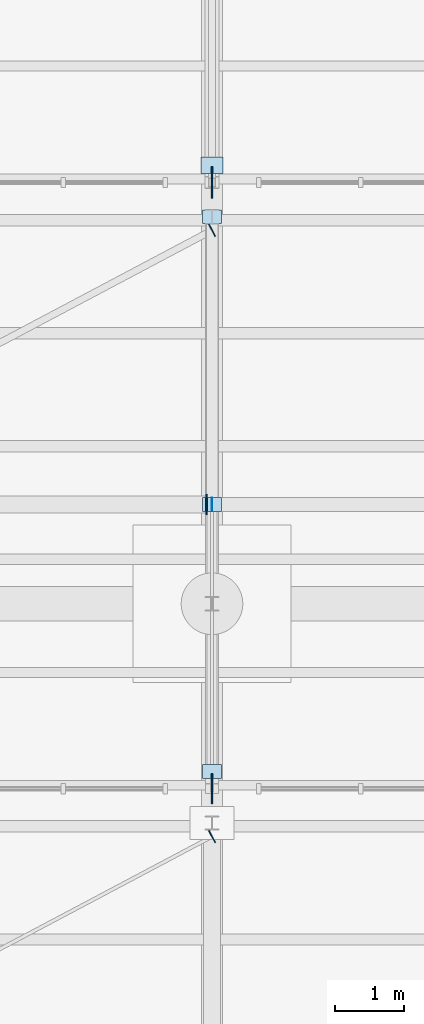
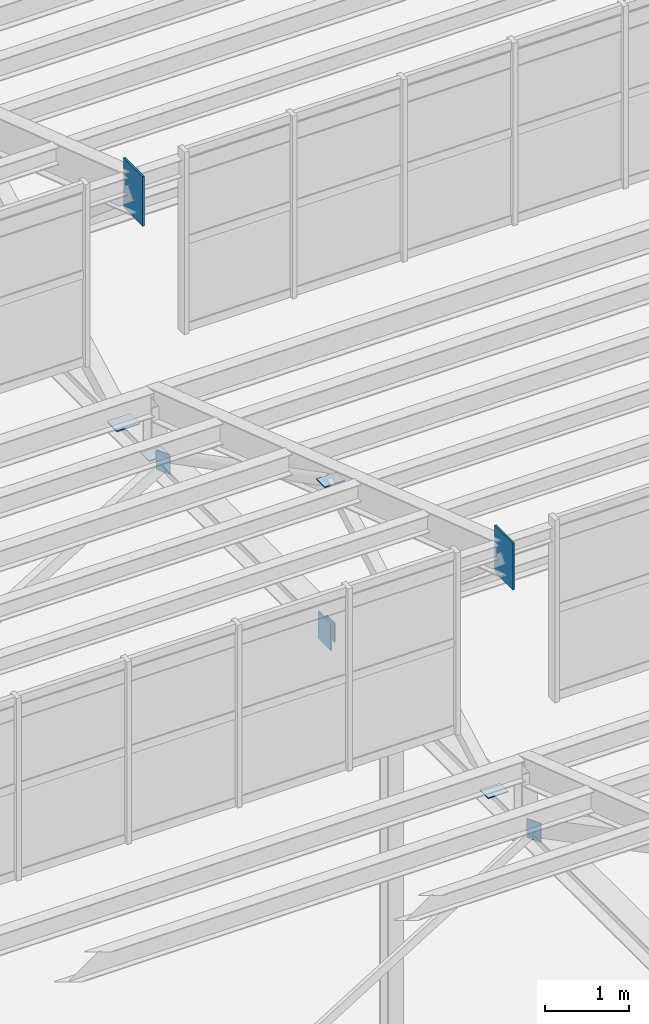
# One storey, part 201 of 285: 10 plates.
"""IFC4 building model written with IfcOpenShell, lengths in metres."""

from ifc_helpers import new_model, si_unit, direction, frame, origin, origin_2d, place, context, subcontext, project, spatial, rectangle, extrude, material, layer, layer_set, type_object, element, save


model = new_model("IFC4")

# Units and contexts
model_context = context("Model", 3, precision=1e-05, world=origin(), true_north=direction((0.0, 1.0)))
body_context = subcontext(model_context, "Body", "Model", "MODEL_VIEW")
ifc_project = project(units=[si_unit("LENGTHUNIT", "METRE"), si_unit("AREAUNIT", "SQUARE_METRE"), si_unit("VOLUMEUNIT", "CUBIC_METRE"), si_unit("PLANEANGLEUNIT", "RADIAN"), si_unit("MASSUNIT", "GRAM", prefix="KILO")], contexts=[model_context])

# Site, building, storey
site_placement = place(None, origin())
site = spatial("IfcSite", under=ifc_project, at=site_placement, CompositionType="ELEMENT")
building_placement = place(site_placement, origin())
building = spatial("IfcBuilding", under=site, at=building_placement, Name="Solanera Park Tramway Depot", CompositionType="ELEMENT")
storey_placement = place(building_placement, origin())
storey = spatial("IfcBuildingStorey", under=building, at=storey_placement, Name="L00", CompositionType="ELEMENT", Elevation=0.0)

# Plates
ifc_material_1 = material(Name="Steel AS/NZS 3679.1 Grade 350", Category="steel")
ifc_layer_1 = layer(ifc_material_1, 0.013916015625)
ifc_layer_set_1 = layer_set([ifc_layer_1], Name="Steel AS/NZS 3679.1 Grade 350")
plate_type_1 = type_object("IfcPlateType", Name="Hollow End Cap and Base Plate 280x200x14", PredefinedType="USERDEFINED", material=ifc_layer_set_1)
for number, where, z_axis, x_axis, name in (
    (1, (60.000732421875, 81.601318359375, 6.35986328125), (0.0, 0.0, 1.0), (0.883520501477, 0.468392488698, 0.0), "Hollow Section Welded End Cap Plate #0346"),
    (2, (60.0, 86.449951171875, 6.35986328125), (0.0, 0.0, 1.0), (1.0, 0.0, 0.0), "Sawtooth Truss Hollow End Cap #0376"),
):
    element("IfcPlate", number, at=place(storey_placement, frame(where, z_axis=z_axis, x_axis=x_axis)), inside=storey, type_object=plate_type_1, Name=name, ObjectType="BASE PLATE", PredefinedType="USERDEFINED", context=body_context, shape_type="SweptSolid", body=[
        extrude(rectangle(XDim=0.013916015625, YDim=0.199951171875, at=origin_2d()), origin(), (0.0, 0.0, 1.0), 0.280029296875),
    ])
for number, where, z_axis, x_axis, name in (
    (3, (60.0, 90.64990234375, 6.4931640625), (0.0, 0.0, 1.0), (1.0, 0.0, 0.0), "Sawtooth Truss Node Cap Plate #0377"),
    (4, (60.0, 86.449951171875, 8.66064453125), (0.0, 0.0, 1.0), (1.0, 0.0, 0.0), "Sawtooth Truss Node Cap Plate #0378"),
    (5, (60.0, 82.550048828125, 6.4931640625), (0.0, 0.0, 1.0), (1.0, 0.0, 0.0), "Sawtooth Truss Node Cap Plate #0379"),
):
    element("IfcPlate", number, at=place(storey_placement, frame(where, z_axis=z_axis, x_axis=x_axis)), inside=storey, type_object=plate_type_1, Name=name, ObjectType="BASE PLATE", PredefinedType="USERDEFINED", context=body_context, shape_type="SweptSolid", body=[
        extrude(rectangle(XDim=0.280029296875, YDim=0.199951171875, at=origin_2d()), origin(), (0.0, 0.0, 1.0), 0.013916015625),
    ])
plate_1_placement = place(storey_placement, frame((60.000732421875, 90.451416015625, 6.35986328125), z_axis=(0.0, 0.0, 1.0), x_axis=(0.883520501477, 0.468392488698, 0.0)))
element("IfcPlate", 6, at=plate_1_placement, inside=storey, type_object=plate_type_1, Name="Hollow Section Welded End Cap Plate #0417", ObjectType="BASE PLATE", PredefinedType="USERDEFINED", context=body_context, shape_type="SweptSolid", body=[
    extrude(rectangle(XDim=0.013916015625, YDim=0.199951171875, at=origin_2d()), origin(), (0.0, 0.0, 1.0), 0.280029296875),
])
ifc_material_2 = material(Name="Steel AS/NZS 3679.1 Grade 350", Category="steel")
ifc_layer_2 = layer(ifc_material_2, 0.01611328125)
ifc_layer_set_2 = layer_set([ifc_layer_2], Name="Steel AS/NZS 3679.1 Grade 350")
plate_type_2 = type_object("IfcPlateType", Name="Hollow End Cap and Base Plate 320x240x16", PredefinedType="USERDEFINED", material=ifc_layer_set_2)
plate_2_placement = place(storey_placement, frame((60.0, 91.39990234375, 6.491943359375), z_axis=(0.0, 0.0, 1.0), x_axis=(1.0, 0.0, 0.0)))
element("IfcPlate", 7, at=plate_2_placement, inside=storey, type_object=plate_type_2, Name="Sawtooth Truss Node Cap Plate #0450", ObjectType="BASE PLATE", PredefinedType="USERDEFINED", context=body_context, shape_type="SweptSolid", body=[
    extrude(rectangle(XDim=0.320068359375, YDim=0.239990234375, at=origin_2d()), origin(), (0.0, 0.0, 1.0), 0.01611328125),
])
ifc_material_3 = material(Name="Steel AS/NZS 3679.1 Grade 350", Category="steel")
ifc_layer_3 = layer(ifc_material_3, 0.02001953125)
ifc_layer_set_3 = layer_set([ifc_layer_3], Name="Steel AS/NZS 3679.1 Grade 350")
plate_type_3 = type_object("IfcPlateType", Name="Hollow End Cap and Base Plate 400x300x20", PredefinedType="USERDEFINED", material=ifc_layer_set_3)
plate_3_placement = place(storey_placement, frame((59.91796875, 86.449951171875, 6.300048828125), z_axis=(0.0, 0.0, 1.0), x_axis=(1.0, 0.0, 0.0)))
element("IfcPlate", 8, at=plate_3_placement, inside=storey, type_object=plate_type_3, Name="Hollow Section Welded End Cap Plate #0415", ObjectType="BASE PLATE", PredefinedType="USERDEFINED", context=body_context, shape_type="SweptSolid", body=[
    extrude(rectangle(XDim=0.02001953125, YDim=0.300048828125, at=origin_2d()), origin(), (0.0, 0.0, 1.0), 0.39990234375),
])
ifc_material_4 = material(Name="Steel AS/NZS 3679.1 Grade 350", Category="steel")
ifc_layer_4 = layer(ifc_material_4, 0.02392578125)
ifc_layer_set_4 = layer_set([ifc_layer_4], Name="Steel AS/NZS 3679.1 Grade 350")
plate_type_4 = type_object("IfcPlateType", Name="Truss Node Gusset Stiffener 680x440x24", PredefinedType="SHEET", material=ifc_layer_set_4)
plate_4_placement = place(storey_placement, frame((60.0, 82.300048828125, 9.71630859375), z_axis=(0.0, 0.0, 1.0), x_axis=(1.0, 0.0, 0.0)))
element("IfcPlate", 9, at=plate_4_placement, inside=storey, type_object=plate_type_4, Name="Sawtooth Truss Apex Gusset Plate #0375", PredefinedType="SHEET", context=body_context, shape_type="SweptSolid", body=[
    extrude(rectangle(XDim=0.02392578125, YDim=0.43994140625, at=origin_2d()), origin(), (0.0, 0.0, 1.0), 0.679931640625),
])
ifc_material_5 = material(Name="Steel AS/NZS 3679.1 Grade 350", Category="steel")
ifc_layer_5 = layer(ifc_material_5, 0.02490234375)
ifc_layer_set_5 = layer_set([ifc_layer_5], Name="Steel AS/NZS 3679.1 Grade 350")
plate_type_5 = type_object("IfcPlateType", Name="Truss Node Gusset Stiffener 720x460x25", PredefinedType="SHEET", material=ifc_layer_set_5)
plate_5_placement = place(storey_placement, frame((60.0, 91.14990234375, 9.658203125), z_axis=(0.0, 0.0, 1.0), x_axis=(1.0, 0.0, 0.0)))
element("IfcPlate", 10, at=plate_5_placement, inside=storey, type_object=plate_type_5, Name="Sawtooth Truss Apex Gusset Plate #0446", PredefinedType="SHEET", context=body_context, shape_type="SweptSolid", body=[
    extrude(rectangle(XDim=0.02490234375, YDim=0.4599609375, at=origin_2d()), origin(), (0.0, 0.0, 1.0), 0.719970703125),
])

save(model, "model.ifc")
